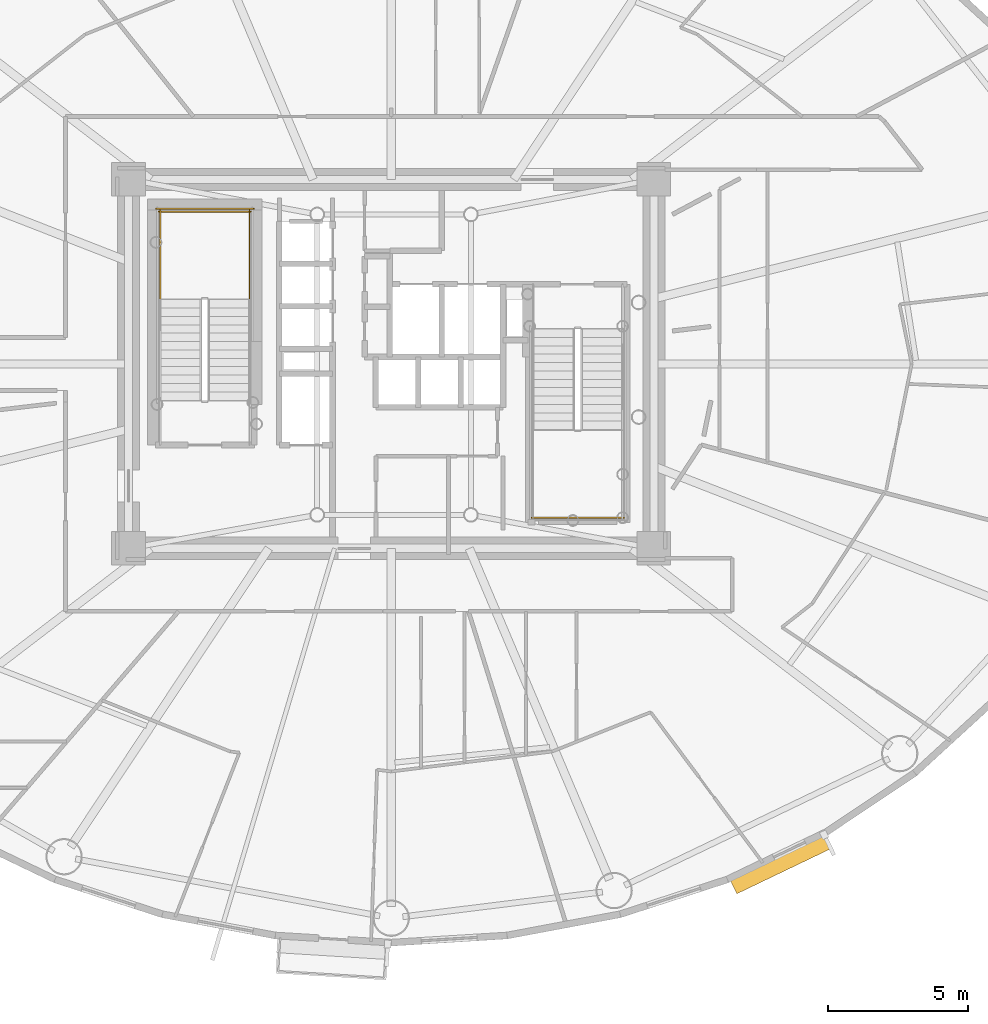
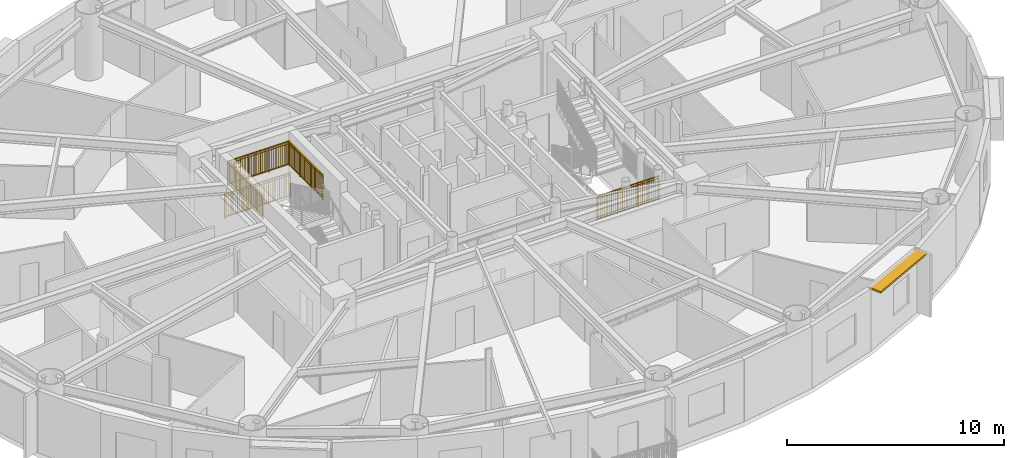
# One storey, part 15 of 18: 5 railings, 1 shading device.
"""IFC4 building model written with IfcOpenShell, lengths in metres."""

import ifcopenshell
import ifcopenshell.guid

model = None  # the IFC model being written
_history = None  # IfcOwnerHistory: only IFC2X3 demands one
_inside = {}  # id of a spatial element -> (the spatial element, [elements in it])
_under = {}  # id of a project, library or spatial element -> (it, [spatial elements below it])
_declared = {}  # id of a project -> (the project, [libraries it declares])
_typed = {}  # id of a type object -> (the type object, [elements of that type])
_made_of = {}  # id of a material, layer set ... -> (it, [elements and type objects made of it])


def new_model(schema):
    """Start an empty IFC model of exactly this schema.

    Asked for "IFC4X3", IfcOpenShell would pick the latest addendum, in which some entities
    have other attributes; the version numbers below select the first issue.
    IFC2X3 requires an IfcOwnerHistory on every rooted entity: one is made here for all.
    """
    global model, _history
    if schema == "IFC4X3":
        model = ifcopenshell.file(schema_version=(4, 3, 0, 0))
    else:
        model = ifcopenshell.file(schema=schema)
    _inside.clear()
    _under.clear()
    _declared.clear()
    _typed.clear()
    _made_of.clear()
    _history = None
    if model.schema == "IFC2X3":
        org = make("IfcOrganization", Name="unknown")
        user = make(
            "IfcPersonAndOrganization",
            ThePerson=make("IfcPerson", FamilyName="unknown"),
            TheOrganization=org,
        )
        app = make(
            "IfcApplication",
            ApplicationDeveloper=org,
            Version="unknown",
            ApplicationFullName="unknown",
            ApplicationIdentifier="unknown",
        )
        _history = make(
            "IfcOwnerHistory",
            OwningUser=user,
            OwningApplication=app,
            ChangeAction="ADDED",
            CreationDate=0,
        )
    return model


def make(cls, **values):
    """One entity of the class cls with the attributes given. An attribute that is None is left unset."""
    return model.create_entity(
        cls, **{name: value for name, value in values.items() if value is not None}
    )


def rooted(cls, **values):
    """An entity with a GlobalId (a new one), such as an element, a storey or a relation."""
    return make(cls, GlobalId=ifcopenshell.guid.new(), OwnerHistory=_history, **values)


def si_unit(unit_type, name, prefix=None):
    """IfcSIUnit, for example si_unit("LENGTHUNIT", "METRE", prefix="MILLI")."""
    return make("IfcSIUnit", UnitType=unit_type, Prefix=prefix, Name=name)


def assignment(units):
    """IfcUnitAssignment: the units of a project."""
    return None if units is None else make("IfcUnitAssignment", Units=units)


def point(xyz):
    """IfcCartesianPoint."""
    return None if xyz is None else make("IfcCartesianPoint", Coordinates=xyz)


def direction(xyz):
    """IfcDirection."""
    return None if xyz is None else make("IfcDirection", DirectionRatios=xyz)


def frame(location, z_axis=None, x_axis=None):
    """IfcAxis2Placement3D, a coordinate frame: its origin and axes. An axis left out is left unset."""
    return make(
        "IfcAxis2Placement3D",
        Location=point(location),
        Axis=direction(z_axis),
        RefDirection=direction(x_axis),
    )


def frame_2d(location, x_axis=None):
    """IfcAxis2Placement2D, a coordinate frame in the plane: its origin and x axis."""
    return make(
        "IfcAxis2Placement2D", Location=point(location), RefDirection=direction(x_axis)
    )


def origin():
    """The frame at (0, 0, 0) with its axes left unset."""
    return frame((0.0, 0.0, 0.0))


def origin_2d():
    """The frame at (0, 0) in the plane with its x axis left unset."""
    return frame_2d((0.0, 0.0))


def place(relative_to, where):
    """IfcLocalPlacement: puts the frame where relative to a parent placement (None: the world)."""
    return make(
        "IfcLocalPlacement", PlacementRelTo=relative_to, RelativePlacement=where
    )


def context(
    kind, dimensions, precision=None, world=None, true_north=None, identifier=None
):
    """IfcGeometricRepresentationContext, for example the 3D "Model" context."""
    return make(
        "IfcGeometricRepresentationContext",
        ContextIdentifier=identifier,
        ContextType=kind,
        CoordinateSpaceDimension=dimensions,
        Precision=precision,
        WorldCoordinateSystem=world,
        TrueNorth=true_north,
    )


def subcontext(parent, identifier, kind, view, scale=None):
    """IfcGeometricRepresentationSubContext, for example "Body" below "Model"."""
    return make(
        "IfcGeometricRepresentationSubContext",
        ContextIdentifier=identifier,
        ContextType=kind,
        ParentContext=parent,
        TargetScale=scale,
        TargetView=view,
    )


def project(units=None, contexts=None):
    """IfcProject with its units and contexts."""
    return rooted(
        "IfcProject",
        Name="project",
        RepresentationContexts=contexts,
        UnitsInContext=assignment(units),
    )


def spatial(cls, under=None, at=None, **own):
    """A site, building, storey or space (cls), placed at a placement, below another one or the project."""
    s = rooted(cls, ObjectPlacement=at, **own)
    if under is not None:
        _under.setdefault(under.id(), (under, []))[1].append(s)
    return s


def profile(cls, at=None, kind="AREA", **sizes):
    """A parametric profile (cls). Its sizes go by their IFC names, for example OverallWidth=200.0."""
    return make(cls, ProfileType=kind, Position=at, **sizes)


def rectangle(**sizes):
    """IfcRectangleProfileDef."""
    return profile("IfcRectangleProfileDef", **sizes)


def extrude(swept, where, along, depth):
    """IfcExtrudedAreaSolid: the profile swept, set in the frame where, extruded along a direction by depth."""
    return make(
        "IfcExtrudedAreaSolid",
        SweptArea=swept,
        Position=where,
        ExtrudedDirection=direction(along),
        Depth=depth,
    )


def shape(context_of_items, identifier, shape_type, items):
    """IfcShapeRepresentation: the items that make up one representation, for example the "Body"."""
    return make(
        "IfcShapeRepresentation",
        ContextOfItems=context_of_items,
        RepresentationIdentifier=identifier,
        RepresentationType=shape_type,
        Items=items,
    )


def source(mapping_origin, context_of_items, identifier, shape_type, items):
    """IfcRepresentationMap: a shape defined once, which mapped items show again and again."""
    return make(
        "IfcRepresentationMap",
        MappingOrigin=mapping_origin,
        MappedRepresentation=shape(context_of_items, identifier, shape_type, items),
    )


def transform(
    local_origin,
    x_axis=None,
    y_axis=None,
    z_axis=None,
    scale=None,
    scale2=None,
    scale3=None,
    uniform=True,
):
    """IfcCartesianTransformationOperator3D, or its non-uniform kind. x_axis, y_axis, z_axis: its Axis1, 2, 3."""
    if uniform:
        return make(
            "IfcCartesianTransformationOperator3D",
            Axis1=direction(x_axis),
            Axis2=direction(y_axis),
            LocalOrigin=point(local_origin),
            Scale=scale,
            Axis3=direction(z_axis),
        )
    return make(
        "IfcCartesianTransformationOperator3DnonUniform",
        Axis1=direction(x_axis),
        Axis2=direction(y_axis),
        LocalOrigin=point(local_origin),
        Scale=scale,
        Axis3=direction(z_axis),
        Scale2=scale2,
        Scale3=scale3,
    )


def mapped(mapping_source, mapping_target):
    """IfcMappedItem: shows the shape of a source again, moved by a transform."""
    return make(
        "IfcMappedItem", MappingSource=mapping_source, MappingTarget=mapping_target
    )


def material(Name=None, Category=None):
    """IfcMaterial."""
    return make("IfcMaterial", Name=Name, Category=Category)


def layer(
    of_material, thickness, ventilated=None, Name=None, Category=None, Priority=None
):
    """IfcMaterialLayer: one layer of a wall or slab, of a material (None: an air gap)."""
    return make(
        "IfcMaterialLayer",
        Material=of_material,
        LayerThickness=thickness,
        IsVentilated=ventilated,
        Name=Name,
        Category=Category,
        Priority=Priority,
    )


def layer_set(layers, Name=None):
    """IfcMaterialLayerSet."""
    return make("IfcMaterialLayerSet", MaterialLayers=layers, LayerSetName=Name)


def made_of(thing, what):
    """Note that an element or type object is made of a material, layer set ...; save() writes the relation."""
    if what is not None:
        _made_of.setdefault(what.id(), (what, []))[1].append(thing)
    return thing


def type_object(cls, material=None, **own):
    """A type object (cls), such as IfcWallType, which elements share."""
    return made_of(rooted(cls, **own), material)


def element(
    cls,
    number,
    at=None,
    inside=None,
    cuts=None,
    type_object=None,
    material=None,
    context=None,
    identifier="Body",
    shape_type=None,
    held_by="IfcProductDefinitionShape",
    body=None,
    shapes=None,
    **own,
):
    """One element of the class cls, such as IfcWall. Its Tag is "e" and its number.

    at: its placement. inside: the storey or other place that contains it. cuts: it is an
    opening in that element (IfcRelVoidsElement). A single representation is given by context,
    identifier, shape_type and body (its items); several are given by shapes. held_by: the class
    of the entity that holds the representations. save() writes the other relations.
    """
    e = rooted(cls, Tag="e%d" % number, ObjectPlacement=at, **own)
    if body is not None:
        shapes = [shape(context, identifier, shape_type, body)]
    if shapes is not None:
        e.Representation = make(held_by, Representations=shapes)
    if inside is not None:
        _inside.setdefault(inside.id(), (inside, []))[1].append(e)
    if cuts is not None:
        rooted(
            "IfcRelVoidsElement", RelatingBuildingElement=cuts, RelatedOpeningElement=e
        )
    if type_object is not None:
        _typed.setdefault(type_object.id(), (type_object, []))[1].append(e)
    return made_of(e, material)


def aggregate(whole, parts):
    """IfcRelAggregates: a whole, such as a stair, and the parts it consists of."""
    return rooted("IfcRelAggregates", RelatingObject=whole, RelatedObjects=parts)


def save(model, path):
    """Write the relations noted so far, then the file.

    IfcRelAggregates (storeys below a building ...), IfcRelContainedInSpatialStructure (elements
    in a storey), IfcRelDefinesByType, IfcRelAssociatesMaterial and IfcRelDeclares: one each for
    every whole, place, type object, material and project.
    """
    for whole, parts in _under.values():
        aggregate(whole, parts)
    for where, things in _inside.values():
        rooted(
            "IfcRelContainedInSpatialStructure",
            RelatedElements=things,
            RelatingStructure=where,
        )
    for kind, things in _typed.values():
        rooted("IfcRelDefinesByType", RelatedObjects=things, RelatingType=kind)
    for what, things in _made_of.values():
        rooted("IfcRelAssociatesMaterial", RelatedObjects=things, RelatingMaterial=what)
    for by, libraries in _declared.values():
        rooted("IfcRelDeclares", RelatingContext=by, RelatedDefinitions=libraries)
    model.write(path)


model = new_model("IFC4")

# Units and contexts
model_context = context("Model", 3, precision=1e-05, world=origin(), true_north=direction((0.0, 1.0)))
body_context = subcontext(model_context, "Body", "Model", "MODEL_VIEW")
ifc_project = project(units=[si_unit("LENGTHUNIT", "METRE"), si_unit("AREAUNIT", "SQUARE_METRE"), si_unit("VOLUMEUNIT", "CUBIC_METRE"), si_unit("PLANEANGLEUNIT", "RADIAN"), si_unit("MASSUNIT", "GRAM", prefix="KILO")], contexts=[model_context])

# Site, building, storey
site_placement = place(None, origin())
site = spatial("IfcSite", under=ifc_project, at=site_placement, CompositionType="ELEMENT")
building_placement = place(site_placement, origin())
building = spatial("IfcBuilding", under=site, at=building_placement, Name="Linh Dai School and Residence Tower", CompositionType="ELEMENT")
storey_placement = place(building_placement, frame((0.0, 0.0, 178.64990234375)))
storey = spatial("IfcBuildingStorey", under=building, at=storey_placement, Name="L43", CompositionType="ELEMENT", Elevation=178.64990234375)

# Shading device
ifc_material_1 = material(Name="Terracotta Ceramic Sunshade", Category="masonry")
ifc_layer = layer(ifc_material_1, 0.10009765625)
ifc_layer_set = layer_set([ifc_layer], Name="Terracotta Ceramic Sunshade")
shading_device_type = type_object("IfcShadingDeviceType", Name="SHD-TC-650", PredefinedType="USERDEFINED", material=ifc_layer_set)
shared_shape_1 = source(origin(), body_context, "Body", "SweptSolid", [
    extrude(rectangle(XDim=3.773193359375, YDim=0.64990234375, at=origin_2d()), origin(), (0.0, 0.0, 1.0), 0.10009765625),
])
shading_device_placement = place(storey_placement, frame((49.9248046875, 9.149658203125, 3.380126953125), z_axis=(0.0, 0.0, 1.0), x_axis=(-0.901569306779, -0.432634701653, 0.0)))
element("IfcShadingDevice", 1, at=shading_device_placement, inside=storey, type_object=shading_device_type, Name="L43 Terracotta Horizontal Sunshade Band 34", ObjectType="SUNSHADE", PredefinedType="USERDEFINED", context=body_context, shape_type="MappedRepresentation", body=[
    mapped(shared_shape_1, transform((0.0, 0.0, 0.0), x_axis=(1.0, 0.0, 0.0), y_axis=(0.0, 1.0, 0.0), z_axis=(0.0, 0.0, 1.0), scale=1.0)),
])

# Railings
ifc_material_2 = material(Name="Structural Steel S355JR", Category="steel")
railing_type = type_object("IfcRailingType", Name="RL-ST-GUARD-1400", PredefinedType="GUARDRAIL", material=ifc_material_2)
shared_shape_2 = source(origin(), body_context, "Body", "SweptSolid", [
    extrude(rectangle(XDim=0.048095703125, YDim=0.048095703125, at=origin_2d()), frame((0.0, 0.0, 1.3759765625), z_axis=(-1.0, 0.0, 0.0), x_axis=(0.0, -1.0, 0.0)), (0.0, 0.0, 1.0), 3.300048828125),
    extrude(rectangle(XDim=0.048095703125, YDim=0.048095703125, at=origin_2d()), frame((0.0, 0.0, 0.10009765625), z_axis=(-1.0, 0.0, 0.0), x_axis=(0.0, -1.0, 0.0)), (0.0, 0.0, 1.0), 3.300048828125),
    extrude(rectangle(XDim=0.030029296875, YDim=0.030029296875, at=origin_2d()), frame((0.0, 0.0, 1.239990234375), z_axis=(-1.0, 0.0, 0.0), x_axis=(0.0, -1.0, 0.0)), (0.0, 0.0, 1.0), 3.300048828125),
    extrude(rectangle(XDim=0.02001953125, YDim=0.02001953125, at=origin_2d()), frame((-0.09716796875, 0.0, 0.10009765625)), (0.0, 0.0, 1.0), 1.251708984375),
    extrude(rectangle(XDim=0.02001953125, YDim=0.02001953125, at=origin_2d()), frame((-0.194091796875, 0.0, 0.10009765625)), (0.0, 0.0, 1.0), 1.251708984375),
    extrude(rectangle(XDim=0.02001953125, YDim=0.02001953125, at=origin_2d()), frame((-0.291259765625, 0.0, 0.10009765625)), (0.0, 0.0, 1.0), 1.251708984375),
    extrude(rectangle(XDim=0.02001953125, YDim=0.02001953125, at=origin_2d()), frame((-0.38818359375, 0.0, 0.10009765625)), (0.0, 0.0, 1.0), 1.251708984375),
    extrude(rectangle(XDim=0.02001953125, YDim=0.02001953125, at=origin_2d()), frame((-0.4853515625, 0.0, 0.10009765625)), (0.0, 0.0, 1.0), 1.251708984375),
    extrude(rectangle(XDim=0.02001953125, YDim=0.02001953125, at=origin_2d()), frame((-0.582275390625, 0.0, 0.10009765625)), (0.0, 0.0, 1.0), 1.251708984375),
    extrude(rectangle(XDim=0.02001953125, YDim=0.02001953125, at=origin_2d()), frame((-0.679443359375, 0.0, 0.10009765625)), (0.0, 0.0, 1.0), 1.251708984375),
    extrude(rectangle(XDim=0.02001953125, YDim=0.02001953125, at=origin_2d()), frame((-0.7763671875, 0.0, 0.10009765625)), (0.0, 0.0, 1.0), 1.251708984375),
    extrude(rectangle(XDim=0.02001953125, YDim=0.02001953125, at=origin_2d()), frame((-0.87353515625, 0.0, 0.10009765625)), (0.0, 0.0, 1.0), 1.251708984375),
    extrude(rectangle(XDim=0.02001953125, YDim=0.02001953125, at=origin_2d()), frame((-0.970703125, 0.0, 0.10009765625)), (0.0, 0.0, 1.0), 1.251708984375),
    extrude(rectangle(XDim=0.02001953125, YDim=0.02001953125, at=origin_2d()), frame((-1.164794921875, 0.0, 0.10009765625)), (0.0, 0.0, 1.0), 1.251708984375),
    extrude(rectangle(XDim=0.02001953125, YDim=0.02001953125, at=origin_2d()), frame((-1.26171875, 0.0, 0.10009765625)), (0.0, 0.0, 1.0), 1.251708984375),
    extrude(rectangle(XDim=0.02001953125, YDim=0.02001953125, at=origin_2d()), frame((-1.35888671875, 0.0, 0.10009765625)), (0.0, 0.0, 1.0), 1.251708984375),
    extrude(rectangle(XDim=0.02001953125, YDim=0.02001953125, at=origin_2d()), frame((-1.455810546875, 0.0, 0.10009765625)), (0.0, 0.0, 1.0), 1.251708984375),
    extrude(rectangle(XDim=0.02001953125, YDim=0.02001953125, at=origin_2d()), frame((-1.552978515625, 0.0, 0.10009765625)), (0.0, 0.0, 1.0), 1.251708984375),
    extrude(rectangle(XDim=0.02001953125, YDim=0.02001953125, at=origin_2d()), frame((-1.64990234375, 0.0, 0.10009765625)), (0.0, 0.0, 1.0), 1.251708984375),
    extrude(rectangle(XDim=0.02001953125, YDim=0.02001953125, at=origin_2d()), frame((-1.7470703125, 0.0, 0.10009765625)), (0.0, 0.0, 1.0), 1.251708984375),
    extrude(rectangle(XDim=0.02001953125, YDim=0.02001953125, at=origin_2d()), frame((-1.84423828125, 0.0, 0.10009765625)), (0.0, 0.0, 1.0), 1.251708984375),
    extrude(rectangle(XDim=0.02001953125, YDim=0.02001953125, at=origin_2d()), frame((-1.941162109375, 0.0, 0.10009765625)), (0.0, 0.0, 1.0), 1.251708984375),
    extrude(rectangle(XDim=0.02001953125, YDim=0.02001953125, at=origin_2d()), frame((-2.038330078125, 0.0, 0.10009765625)), (0.0, 0.0, 1.0), 1.251708984375),
    extrude(rectangle(XDim=0.02001953125, YDim=0.02001953125, at=origin_2d()), frame((-2.13525390625, 0.0, 0.10009765625)), (0.0, 0.0, 1.0), 1.251708984375),
    extrude(rectangle(XDim=0.02001953125, YDim=0.02001953125, at=origin_2d()), frame((-2.329345703125, 0.0, 0.10009765625)), (0.0, 0.0, 1.0), 1.251708984375),
    extrude(rectangle(XDim=0.02001953125, YDim=0.02001953125, at=origin_2d()), frame((-2.426513671875, 0.0, 0.10009765625)), (0.0, 0.0, 1.0), 1.251708984375),
    extrude(rectangle(XDim=0.02001953125, YDim=0.02001953125, at=origin_2d()), frame((-2.523681640625, 0.0, 0.10009765625)), (0.0, 0.0, 1.0), 1.251708984375),
    extrude(rectangle(XDim=0.02001953125, YDim=0.02001953125, at=origin_2d()), frame((-2.62060546875, 0.0, 0.10009765625)), (0.0, 0.0, 1.0), 1.251708984375),
    extrude(rectangle(XDim=0.02001953125, YDim=0.02001953125, at=origin_2d()), frame((-2.7177734375, 0.0, 0.10009765625)), (0.0, 0.0, 1.0), 1.251708984375),
    extrude(rectangle(XDim=0.02001953125, YDim=0.02001953125, at=origin_2d()), frame((-2.814697265625, 0.0, 0.10009765625)), (0.0, 0.0, 1.0), 1.251708984375),
    extrude(rectangle(XDim=0.02001953125, YDim=0.02001953125, at=origin_2d()), frame((-2.911865234375, 0.0, 0.10009765625)), (0.0, 0.0, 1.0), 1.251708984375),
    extrude(rectangle(XDim=0.02001953125, YDim=0.02001953125, at=origin_2d()), frame((-3.0087890625, 0.0, 0.10009765625)), (0.0, 0.0, 1.0), 1.251708984375),
    extrude(rectangle(XDim=0.02001953125, YDim=0.02001953125, at=origin_2d()), frame((-3.10595703125, 0.0, 0.10009765625)), (0.0, 0.0, 1.0), 1.251708984375),
    extrude(rectangle(XDim=0.02001953125, YDim=0.02001953125, at=origin_2d()), frame((-3.202880859375, 0.0, 0.10009765625)), (0.0, 0.0, 1.0), 1.251708984375),
    extrude(rectangle(XDim=0.0419921875, YDim=0.0419921875, at=origin_2d()), origin(), (0.0, 0.0, 1.0), 1.3759765625),
    extrude(rectangle(XDim=0.0419921875, YDim=0.0419921875, at=origin_2d()), frame((-1.10009765625, 0.0, 0.0)), (0.0, 0.0, 1.0), 1.3759765625),
    extrude(rectangle(XDim=0.0419921875, YDim=0.0419921875, at=origin_2d()), frame((-2.199951171875, 0.0, 0.0)), (0.0, 0.0, 1.0), 1.3759765625),
    extrude(rectangle(XDim=0.0419921875, YDim=0.0419921875, at=origin_2d()), frame((-3.300048828125, 0.0, 0.0)), (0.0, 0.0, 1.0), 1.3759765625),
])
railing_1_placement = place(storey_placement, frame((30.97998046875, 32.449951171875, 1.875)))
element("IfcRailing", 2, at=railing_1_placement, inside=storey, type_object=railing_type, Name="L43 ST1 stair guard 5", PredefinedType="GUARDRAIL", context=body_context, shape_type="MappedRepresentation", body=[
    mapped(shared_shape_2, transform((0.0, 0.0, 0.0), x_axis=(1.0, 0.0, 0.0), y_axis=(0.0, 1.0, 0.0), z_axis=(0.0, 0.0, 1.0), scale=1.0)),
])
shared_shape_3 = source(origin(), body_context, "Body", "SweptSolid", [
    extrude(rectangle(XDim=0.048095703125, YDim=0.048095703125, at=origin_2d()), frame((0.0, 0.0, 1.3759765625), z_axis=(-1.0, 0.0, 0.0), x_axis=(0.0, -1.0, 0.0)), (0.0, 0.0, 1.0), 3.5),
    extrude(rectangle(XDim=0.048095703125, YDim=0.048095703125, at=origin_2d()), frame((0.0, 0.0, 0.10009765625), z_axis=(-1.0, 0.0, 0.0), x_axis=(0.0, -1.0, 0.0)), (0.0, 0.0, 1.0), 3.5),
    extrude(rectangle(XDim=0.030029296875, YDim=0.030029296875, at=origin_2d()), frame((0.0, 0.0, 1.239990234375), z_axis=(-1.0, 0.0, 0.0), x_axis=(0.0, -1.0, 0.0)), (0.0, 0.0, 1.0), 3.5),
    extrude(rectangle(XDim=0.02001953125, YDim=0.02001953125, at=origin_2d()), frame((-0.09716796875, 0.0, 0.10009765625)), (0.0, 0.0, 1.0), 1.251708984375),
    extrude(rectangle(XDim=0.02001953125, YDim=0.02001953125, at=origin_2d()), frame((-0.1943359375, 0.0, 0.10009765625)), (0.0, 0.0, 1.0), 1.251708984375),
    extrude(rectangle(XDim=0.02001953125, YDim=0.02001953125, at=origin_2d()), frame((-0.291748046875, 0.0, 0.10009765625)), (0.0, 0.0, 1.0), 1.251708984375),
    extrude(rectangle(XDim=0.02001953125, YDim=0.02001953125, at=origin_2d()), frame((-0.388916015625, 0.0, 0.10009765625)), (0.0, 0.0, 1.0), 1.251708984375),
    extrude(rectangle(XDim=0.02001953125, YDim=0.02001953125, at=origin_2d()), frame((-0.486083984375, 0.0, 0.10009765625)), (0.0, 0.0, 1.0), 1.251708984375),
    extrude(rectangle(XDim=0.02001953125, YDim=0.02001953125, at=origin_2d()), frame((-0.583251953125, 0.0, 0.10009765625)), (0.0, 0.0, 1.0), 1.251708984375),
    extrude(rectangle(XDim=0.02001953125, YDim=0.02001953125, at=origin_2d()), frame((-0.6806640625, 0.0, 0.10009765625)), (0.0, 0.0, 1.0), 1.251708984375),
    extrude(rectangle(XDim=0.02001953125, YDim=0.02001953125, at=origin_2d()), frame((-0.77783203125, 0.0, 0.10009765625)), (0.0, 0.0, 1.0), 1.251708984375),
    extrude(rectangle(XDim=0.02001953125, YDim=0.02001953125, at=origin_2d()), frame((-0.875, 0.0, 0.10009765625)), (0.0, 0.0, 1.0), 1.251708984375),
    extrude(rectangle(XDim=0.02001953125, YDim=0.02001953125, at=origin_2d()), frame((-0.97216796875, 0.0, 0.10009765625)), (0.0, 0.0, 1.0), 1.251708984375),
    extrude(rectangle(XDim=0.02001953125, YDim=0.02001953125, at=origin_2d()), frame((-1.0693359375, 0.0, 0.10009765625)), (0.0, 0.0, 1.0), 1.251708984375),
    extrude(rectangle(XDim=0.02001953125, YDim=0.02001953125, at=origin_2d()), frame((-1.263916015625, 0.0, 0.10009765625)), (0.0, 0.0, 1.0), 1.251708984375),
    extrude(rectangle(XDim=0.02001953125, YDim=0.02001953125, at=origin_2d()), frame((-1.361083984375, 0.0, 0.10009765625)), (0.0, 0.0, 1.0), 1.251708984375),
    extrude(rectangle(XDim=0.02001953125, YDim=0.02001953125, at=origin_2d()), frame((-1.458251953125, 0.0, 0.10009765625)), (0.0, 0.0, 1.0), 1.251708984375),
    extrude(rectangle(XDim=0.02001953125, YDim=0.02001953125, at=origin_2d()), frame((-1.5556640625, 0.0, 0.10009765625)), (0.0, 0.0, 1.0), 1.251708984375),
    extrude(rectangle(XDim=0.02001953125, YDim=0.02001953125, at=origin_2d()), frame((-1.65283203125, 0.0, 0.10009765625)), (0.0, 0.0, 1.0), 1.251708984375),
    extrude(rectangle(XDim=0.02001953125, YDim=0.02001953125, at=origin_2d()), frame((-1.75, 0.0, 0.10009765625)), (0.0, 0.0, 1.0), 1.251708984375),
    extrude(rectangle(XDim=0.02001953125, YDim=0.02001953125, at=origin_2d()), frame((-1.84716796875, 0.0, 0.10009765625)), (0.0, 0.0, 1.0), 1.251708984375),
    extrude(rectangle(XDim=0.02001953125, YDim=0.02001953125, at=origin_2d()), frame((-1.9443359375, 0.0, 0.10009765625)), (0.0, 0.0, 1.0), 1.251708984375),
    extrude(rectangle(XDim=0.02001953125, YDim=0.02001953125, at=origin_2d()), frame((-2.041748046875, 0.0, 0.10009765625)), (0.0, 0.0, 1.0), 1.251708984375),
    extrude(rectangle(XDim=0.02001953125, YDim=0.02001953125, at=origin_2d()), frame((-2.138916015625, 0.0, 0.10009765625)), (0.0, 0.0, 1.0), 1.251708984375),
    extrude(rectangle(XDim=0.02001953125, YDim=0.02001953125, at=origin_2d()), frame((-2.236083984375, 0.0, 0.10009765625)), (0.0, 0.0, 1.0), 1.251708984375),
    extrude(rectangle(XDim=0.02001953125, YDim=0.02001953125, at=origin_2d()), frame((-2.4306640625, 0.0, 0.10009765625)), (0.0, 0.0, 1.0), 1.251708984375),
    extrude(rectangle(XDim=0.02001953125, YDim=0.02001953125, at=origin_2d()), frame((-2.52783203125, 0.0, 0.10009765625)), (0.0, 0.0, 1.0), 1.251708984375),
    extrude(rectangle(XDim=0.02001953125, YDim=0.02001953125, at=origin_2d()), frame((-2.625, 0.0, 0.10009765625)), (0.0, 0.0, 1.0), 1.251708984375),
    extrude(rectangle(XDim=0.02001953125, YDim=0.02001953125, at=origin_2d()), frame((-2.72216796875, 0.0, 0.10009765625)), (0.0, 0.0, 1.0), 1.251708984375),
    extrude(rectangle(XDim=0.02001953125, YDim=0.02001953125, at=origin_2d()), frame((-2.8193359375, 0.0, 0.10009765625)), (0.0, 0.0, 1.0), 1.251708984375),
    extrude(rectangle(XDim=0.02001953125, YDim=0.02001953125, at=origin_2d()), frame((-2.916748046875, 0.0, 0.10009765625)), (0.0, 0.0, 1.0), 1.251708984375),
    extrude(rectangle(XDim=0.02001953125, YDim=0.02001953125, at=origin_2d()), frame((-3.013916015625, 0.0, 0.10009765625)), (0.0, 0.0, 1.0), 1.251708984375),
    extrude(rectangle(XDim=0.02001953125, YDim=0.02001953125, at=origin_2d()), frame((-3.111083984375, 0.0, 0.10009765625)), (0.0, 0.0, 1.0), 1.251708984375),
    extrude(rectangle(XDim=0.02001953125, YDim=0.02001953125, at=origin_2d()), frame((-3.208251953125, 0.0, 0.10009765625)), (0.0, 0.0, 1.0), 1.251708984375),
    extrude(rectangle(XDim=0.02001953125, YDim=0.02001953125, at=origin_2d()), frame((-3.3056640625, 0.0, 0.10009765625)), (0.0, 0.0, 1.0), 1.251708984375),
    extrude(rectangle(XDim=0.02001953125, YDim=0.02001953125, at=origin_2d()), frame((-3.40283203125, 0.0, 0.10009765625)), (0.0, 0.0, 1.0), 1.251708984375),
    extrude(rectangle(XDim=0.0419921875, YDim=0.0419921875, at=origin_2d()), origin(), (0.0, 0.0, 1.0), 1.3759765625),
    extrude(rectangle(XDim=0.0419921875, YDim=0.0419921875, at=origin_2d()), frame((-1.166748046875, 0.0, 0.0)), (0.0, 0.0, 1.0), 1.3759765625),
    extrude(rectangle(XDim=0.0419921875, YDim=0.0419921875, at=origin_2d()), frame((-2.333251953125, 0.0, 0.0)), (0.0, 0.0, 1.0), 1.3759765625),
    extrude(rectangle(XDim=0.0419921875, YDim=0.0419921875, at=origin_2d()), frame((-3.5, 0.0, 0.0)), (0.0, 0.0, 1.0), 1.3759765625),
])
railing_2_placement = place(storey_placement, frame((31.080078125, 32.550048828125, 0.0)))
element("IfcRailing", 3, at=railing_2_placement, inside=storey, type_object=railing_type, Name="L43 ST1 stair guard 12", PredefinedType="GUARDRAIL", context=body_context, shape_type="MappedRepresentation", body=[
    mapped(shared_shape_3, transform((0.0, 0.0, 0.0), x_axis=(1.0, 0.0, 0.0), y_axis=(0.0, 1.0, 0.0), z_axis=(0.0, 0.0, 1.0), scale=1.0)),
])
shared_shape_4 = source(origin(), body_context, "Body", "SweptSolid", [
    extrude(rectangle(XDim=0.048095703125, YDim=0.048095703125, at=origin_2d()), frame((0.0, 0.0, 1.3759765625), z_axis=(0.0, 1.0, 0.0), x_axis=(-1.0, 0.0, 0.0)), (0.0, 0.0, 1.0), 3.199951171875),
    extrude(rectangle(XDim=0.048095703125, YDim=0.048095703125, at=origin_2d()), frame((0.0, 0.0, 0.10009765625), z_axis=(0.0, 1.0, 0.0), x_axis=(-1.0, 0.0, 0.0)), (0.0, 0.0, 1.0), 3.199951171875),
    extrude(rectangle(XDim=0.030029296875, YDim=0.030029296875, at=origin_2d()), frame((0.0, 0.0, 1.239990234375), z_axis=(0.0, 1.0, 0.0), x_axis=(-1.0, 0.0, 0.0)), (0.0, 0.0, 1.0), 3.199951171875),
    extrude(rectangle(XDim=0.02001953125, YDim=0.02001953125, at=origin_2d()), frame((0.0, 0.096923828125, 0.10009765625)), (0.0, 0.0, 1.0), 1.251708984375),
    extrude(rectangle(XDim=0.02001953125, YDim=0.02001953125, at=origin_2d()), frame((0.0, 0.19384765625, 0.10009765625)), (0.0, 0.0, 1.0), 1.251708984375),
    extrude(rectangle(XDim=0.02001953125, YDim=0.02001953125, at=origin_2d()), frame((0.0, 0.291015625, 0.10009765625)), (0.0, 0.0, 1.0), 1.251708984375),
    extrude(rectangle(XDim=0.02001953125, YDim=0.02001953125, at=origin_2d()), frame((0.0, 0.387939453125, 0.10009765625)), (0.0, 0.0, 1.0), 1.251708984375),
    extrude(rectangle(XDim=0.02001953125, YDim=0.02001953125, at=origin_2d()), frame((0.0, 0.48486328125, 0.10009765625)), (0.0, 0.0, 1.0), 1.251708984375),
    extrude(rectangle(XDim=0.02001953125, YDim=0.02001953125, at=origin_2d()), frame((0.0, 0.581787109375, 0.10009765625)), (0.0, 0.0, 1.0), 1.251708984375),
    extrude(rectangle(XDim=0.02001953125, YDim=0.02001953125, at=origin_2d()), frame((0.0, 0.6787109375, 0.10009765625)), (0.0, 0.0, 1.0), 1.251708984375),
    extrude(rectangle(XDim=0.02001953125, YDim=0.02001953125, at=origin_2d()), frame((0.0, 0.775634765625, 0.10009765625)), (0.0, 0.0, 1.0), 1.251708984375),
    extrude(rectangle(XDim=0.02001953125, YDim=0.02001953125, at=origin_2d()), frame((0.0, 0.872802734375, 0.10009765625)), (0.0, 0.0, 1.0), 1.251708984375),
    extrude(rectangle(XDim=0.02001953125, YDim=0.02001953125, at=origin_2d()), frame((0.0, 0.9697265625, 0.10009765625)), (0.0, 0.0, 1.0), 1.251708984375),
    extrude(rectangle(XDim=0.02001953125, YDim=0.02001953125, at=origin_2d()), frame((0.0, 1.16357421875, 0.10009765625)), (0.0, 0.0, 1.0), 1.251708984375),
    extrude(rectangle(XDim=0.02001953125, YDim=0.02001953125, at=origin_2d()), frame((0.0, 1.260498046875, 0.10009765625)), (0.0, 0.0, 1.0), 1.251708984375),
    extrude(rectangle(XDim=0.02001953125, YDim=0.02001953125, at=origin_2d()), frame((0.0, 1.357666015625, 0.10009765625)), (0.0, 0.0, 1.0), 1.251708984375),
    extrude(rectangle(XDim=0.02001953125, YDim=0.02001953125, at=origin_2d()), frame((0.0, 1.45458984375, 0.10009765625)), (0.0, 0.0, 1.0), 1.251708984375),
    extrude(rectangle(XDim=0.02001953125, YDim=0.02001953125, at=origin_2d()), frame((0.0, 1.551513671875, 0.10009765625)), (0.0, 0.0, 1.0), 1.251708984375),
    extrude(rectangle(XDim=0.02001953125, YDim=0.02001953125, at=origin_2d()), frame((0.0, 1.6484375, 0.10009765625)), (0.0, 0.0, 1.0), 1.251708984375),
    extrude(rectangle(XDim=0.02001953125, YDim=0.02001953125, at=origin_2d()), frame((0.0, 1.745361328125, 0.10009765625)), (0.0, 0.0, 1.0), 1.251708984375),
    extrude(rectangle(XDim=0.02001953125, YDim=0.02001953125, at=origin_2d()), frame((0.0, 1.84228515625, 0.10009765625)), (0.0, 0.0, 1.0), 1.251708984375),
    extrude(rectangle(XDim=0.02001953125, YDim=0.02001953125, at=origin_2d()), frame((0.0, 1.939453125, 0.10009765625)), (0.0, 0.0, 1.0), 1.251708984375),
    extrude(rectangle(XDim=0.02001953125, YDim=0.02001953125, at=origin_2d()), frame((0.0, 2.036376953125, 0.10009765625)), (0.0, 0.0, 1.0), 1.251708984375),
    extrude(rectangle(XDim=0.02001953125, YDim=0.02001953125, at=origin_2d()), frame((0.0, 2.230224609375, 0.10009765625)), (0.0, 0.0, 1.0), 1.251708984375),
    extrude(rectangle(XDim=0.02001953125, YDim=0.02001953125, at=origin_2d()), frame((0.0, 2.3271484375, 0.10009765625)), (0.0, 0.0, 1.0), 1.251708984375),
    extrude(rectangle(XDim=0.02001953125, YDim=0.02001953125, at=origin_2d()), frame((0.0, 2.42431640625, 0.10009765625)), (0.0, 0.0, 1.0), 1.251708984375),
    extrude(rectangle(XDim=0.02001953125, YDim=0.02001953125, at=origin_2d()), frame((0.0, 2.521240234375, 0.10009765625)), (0.0, 0.0, 1.0), 1.251708984375),
    extrude(rectangle(XDim=0.02001953125, YDim=0.02001953125, at=origin_2d()), frame((0.0, 2.6181640625, 0.10009765625)), (0.0, 0.0, 1.0), 1.251708984375),
    extrude(rectangle(XDim=0.02001953125, YDim=0.02001953125, at=origin_2d()), frame((0.0, 2.715087890625, 0.10009765625)), (0.0, 0.0, 1.0), 1.251708984375),
    extrude(rectangle(XDim=0.02001953125, YDim=0.02001953125, at=origin_2d()), frame((0.0, 2.81201171875, 0.10009765625)), (0.0, 0.0, 1.0), 1.251708984375),
    extrude(rectangle(XDim=0.02001953125, YDim=0.02001953125, at=origin_2d()), frame((0.0, 2.908935546875, 0.10009765625)), (0.0, 0.0, 1.0), 1.251708984375),
    extrude(rectangle(XDim=0.02001953125, YDim=0.02001953125, at=origin_2d()), frame((0.0, 3.006103515625, 0.10009765625)), (0.0, 0.0, 1.0), 1.251708984375),
    extrude(rectangle(XDim=0.02001953125, YDim=0.02001953125, at=origin_2d()), frame((0.0, 3.10302734375, 0.10009765625)), (0.0, 0.0, 1.0), 1.251708984375),
    extrude(rectangle(XDim=0.0419921875, YDim=0.0419921875, at=origin_2d()), origin(), (0.0, 0.0, 1.0), 1.3759765625),
    extrude(rectangle(XDim=0.0419921875, YDim=0.0419921875, at=origin_2d()), frame((0.0, 1.066650390625, 0.0)), (0.0, 0.0, 1.0), 1.3759765625),
    extrude(rectangle(XDim=0.0419921875, YDim=0.0419921875, at=origin_2d()), frame((0.0, 2.13330078125, 0.0)), (0.0, 0.0, 1.0), 1.3759765625),
    extrude(rectangle(XDim=0.0419921875, YDim=0.0419921875, at=origin_2d()), frame((0.0, 3.199951171875, 0.0)), (0.0, 0.0, 1.0), 1.3759765625),
])
for number, where, name in (
    (4, (30.929931640625, 29.300048828125, 1.875), "L43 ST1 stair guard 3"),
    (5, (27.72998046875, 29.300048828125, 1.875), "L43 ST1 stair guard 4"),
):
    element("IfcRailing", number, at=place(storey_placement, frame(where)), inside=storey, type_object=railing_type, Name=name, PredefinedType="GUARDRAIL", context=body_context, shape_type="MappedRepresentation", body=[
        mapped(shared_shape_4, transform((0.0, 0.0, 0.0), x_axis=(1.0, 0.0, 0.0), y_axis=(0.0, 1.0, 0.0), z_axis=(0.0, 0.0, 1.0), scale=1.0)),
    ])
shared_shape_5 = source(origin(), body_context, "Body", "SweptSolid", [
    extrude(rectangle(XDim=0.048095703125, YDim=0.048095703125, at=origin_2d()), frame((0.0, 0.0, 1.3759765625), z_axis=(1.0, 0.0, 0.0), x_axis=(0.0, 1.0, 0.0)), (0.0, 0.0, 1.0), 3.300048828125),
    extrude(rectangle(XDim=0.048095703125, YDim=0.048095703125, at=origin_2d()), frame((0.0, 0.0, 0.10009765625), z_axis=(1.0, 0.0, 0.0), x_axis=(0.0, 1.0, 0.0)), (0.0, 0.0, 1.0), 3.300048828125),
    extrude(rectangle(XDim=0.030029296875, YDim=0.030029296875, at=origin_2d()), frame((0.0, 0.0, 1.239990234375), z_axis=(1.0, 0.0, 0.0), x_axis=(0.0, 1.0, 0.0)), (0.0, 0.0, 1.0), 3.300048828125),
    extrude(rectangle(XDim=0.02001953125, YDim=0.02001953125, at=origin_2d()), frame((0.09716796875, 0.0, 0.10009765625)), (0.0, 0.0, 1.0), 1.251708984375),
    extrude(rectangle(XDim=0.02001953125, YDim=0.02001953125, at=origin_2d()), frame((0.194091796875, 0.0, 0.10009765625)), (0.0, 0.0, 1.0), 1.251708984375),
    extrude(rectangle(XDim=0.02001953125, YDim=0.02001953125, at=origin_2d()), frame((0.291259765625, 0.0, 0.10009765625)), (0.0, 0.0, 1.0), 1.251708984375),
    extrude(rectangle(XDim=0.02001953125, YDim=0.02001953125, at=origin_2d()), frame((0.38818359375, 0.0, 0.10009765625)), (0.0, 0.0, 1.0), 1.251708984375),
    extrude(rectangle(XDim=0.02001953125, YDim=0.02001953125, at=origin_2d()), frame((0.4853515625, 0.0, 0.10009765625)), (0.0, 0.0, 1.0), 1.251708984375),
    extrude(rectangle(XDim=0.02001953125, YDim=0.02001953125, at=origin_2d()), frame((0.582275390625, 0.0, 0.10009765625)), (0.0, 0.0, 1.0), 1.251708984375),
    extrude(rectangle(XDim=0.02001953125, YDim=0.02001953125, at=origin_2d()), frame((0.679443359375, 0.0, 0.10009765625)), (0.0, 0.0, 1.0), 1.251708984375),
    extrude(rectangle(XDim=0.02001953125, YDim=0.02001953125, at=origin_2d()), frame((0.7763671875, 0.0, 0.10009765625)), (0.0, 0.0, 1.0), 1.251708984375),
    extrude(rectangle(XDim=0.02001953125, YDim=0.02001953125, at=origin_2d()), frame((0.87353515625, 0.0, 0.10009765625)), (0.0, 0.0, 1.0), 1.251708984375),
    extrude(rectangle(XDim=0.02001953125, YDim=0.02001953125, at=origin_2d()), frame((0.970703125, 0.0, 0.10009765625)), (0.0, 0.0, 1.0), 1.251708984375),
    extrude(rectangle(XDim=0.02001953125, YDim=0.02001953125, at=origin_2d()), frame((1.164794921875, 0.0, 0.10009765625)), (0.0, 0.0, 1.0), 1.251708984375),
    extrude(rectangle(XDim=0.02001953125, YDim=0.02001953125, at=origin_2d()), frame((1.26171875, 0.0, 0.10009765625)), (0.0, 0.0, 1.0), 1.251708984375),
    extrude(rectangle(XDim=0.02001953125, YDim=0.02001953125, at=origin_2d()), frame((1.35888671875, 0.0, 0.10009765625)), (0.0, 0.0, 1.0), 1.251708984375),
    extrude(rectangle(XDim=0.02001953125, YDim=0.02001953125, at=origin_2d()), frame((1.455810546875, 0.0, 0.10009765625)), (0.0, 0.0, 1.0), 1.251708984375),
    extrude(rectangle(XDim=0.02001953125, YDim=0.02001953125, at=origin_2d()), frame((1.552978515625, 0.0, 0.10009765625)), (0.0, 0.0, 1.0), 1.251708984375),
    extrude(rectangle(XDim=0.02001953125, YDim=0.02001953125, at=origin_2d()), frame((1.64990234375, 0.0, 0.10009765625)), (0.0, 0.0, 1.0), 1.251708984375),
    extrude(rectangle(XDim=0.02001953125, YDim=0.02001953125, at=origin_2d()), frame((1.7470703125, 0.0, 0.10009765625)), (0.0, 0.0, 1.0), 1.251708984375),
    extrude(rectangle(XDim=0.02001953125, YDim=0.02001953125, at=origin_2d()), frame((1.84423828125, 0.0, 0.10009765625)), (0.0, 0.0, 1.0), 1.251708984375),
    extrude(rectangle(XDim=0.02001953125, YDim=0.02001953125, at=origin_2d()), frame((1.941162109375, 0.0, 0.10009765625)), (0.0, 0.0, 1.0), 1.251708984375),
    extrude(rectangle(XDim=0.02001953125, YDim=0.02001953125, at=origin_2d()), frame((2.038330078125, 0.0, 0.10009765625)), (0.0, 0.0, 1.0), 1.251708984375),
    extrude(rectangle(XDim=0.02001953125, YDim=0.02001953125, at=origin_2d()), frame((2.13525390625, 0.0, 0.10009765625)), (0.0, 0.0, 1.0), 1.251708984375),
    extrude(rectangle(XDim=0.02001953125, YDim=0.02001953125, at=origin_2d()), frame((2.329345703125, 0.0, 0.10009765625)), (0.0, 0.0, 1.0), 1.251708984375),
    extrude(rectangle(XDim=0.02001953125, YDim=0.02001953125, at=origin_2d()), frame((2.426513671875, 0.0, 0.10009765625)), (0.0, 0.0, 1.0), 1.251708984375),
    extrude(rectangle(XDim=0.02001953125, YDim=0.02001953125, at=origin_2d()), frame((2.523681640625, 0.0, 0.10009765625)), (0.0, 0.0, 1.0), 1.251708984375),
    extrude(rectangle(XDim=0.02001953125, YDim=0.02001953125, at=origin_2d()), frame((2.62060546875, 0.0, 0.10009765625)), (0.0, 0.0, 1.0), 1.251708984375),
    extrude(rectangle(XDim=0.02001953125, YDim=0.02001953125, at=origin_2d()), frame((2.7177734375, 0.0, 0.10009765625)), (0.0, 0.0, 1.0), 1.251708984375),
    extrude(rectangle(XDim=0.02001953125, YDim=0.02001953125, at=origin_2d()), frame((2.814697265625, 0.0, 0.10009765625)), (0.0, 0.0, 1.0), 1.251708984375),
    extrude(rectangle(XDim=0.02001953125, YDim=0.02001953125, at=origin_2d()), frame((2.911865234375, 0.0, 0.10009765625)), (0.0, 0.0, 1.0), 1.251708984375),
    extrude(rectangle(XDim=0.02001953125, YDim=0.02001953125, at=origin_2d()), frame((3.0087890625, 0.0, 0.10009765625)), (0.0, 0.0, 1.0), 1.251708984375),
    extrude(rectangle(XDim=0.02001953125, YDim=0.02001953125, at=origin_2d()), frame((3.10595703125, 0.0, 0.10009765625)), (0.0, 0.0, 1.0), 1.251708984375),
    extrude(rectangle(XDim=0.02001953125, YDim=0.02001953125, at=origin_2d()), frame((3.202880859375, 0.0, 0.10009765625)), (0.0, 0.0, 1.0), 1.251708984375),
    extrude(rectangle(XDim=0.0419921875, YDim=0.0419921875, at=origin_2d()), origin(), (0.0, 0.0, 1.0), 1.3759765625),
    extrude(rectangle(XDim=0.0419921875, YDim=0.0419921875, at=origin_2d()), frame((1.10009765625, 0.0, 0.0)), (0.0, 0.0, 1.0), 1.3759765625),
    extrude(rectangle(XDim=0.0419921875, YDim=0.0419921875, at=origin_2d()), frame((2.199951171875, 0.0, 0.0)), (0.0, 0.0, 1.0), 1.3759765625),
    extrude(rectangle(XDim=0.0419921875, YDim=0.0419921875, at=origin_2d()), frame((3.300048828125, 0.0, 0.0)), (0.0, 0.0, 1.0), 1.3759765625),
])
railing_3_placement = place(storey_placement, frame((41.02001953125, 21.5, 1.875)))
element("IfcRailing", 6, at=railing_3_placement, inside=storey, type_object=railing_type, Name="L43 ST2 stair guard 5", PredefinedType="GUARDRAIL", context=body_context, shape_type="MappedRepresentation", body=[
    mapped(shared_shape_5, transform((0.0, 0.0, 0.0), x_axis=(1.0, 0.0, 0.0), y_axis=(0.0, 1.0, 0.0), z_axis=(0.0, 0.0, 1.0), scale=1.0)),
])

save(model, "model.ifc")
